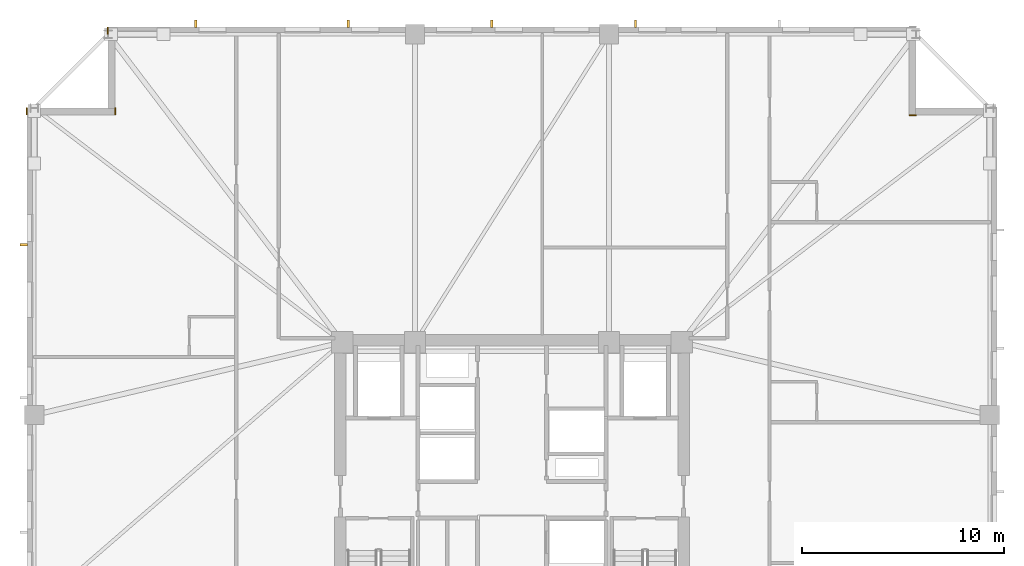
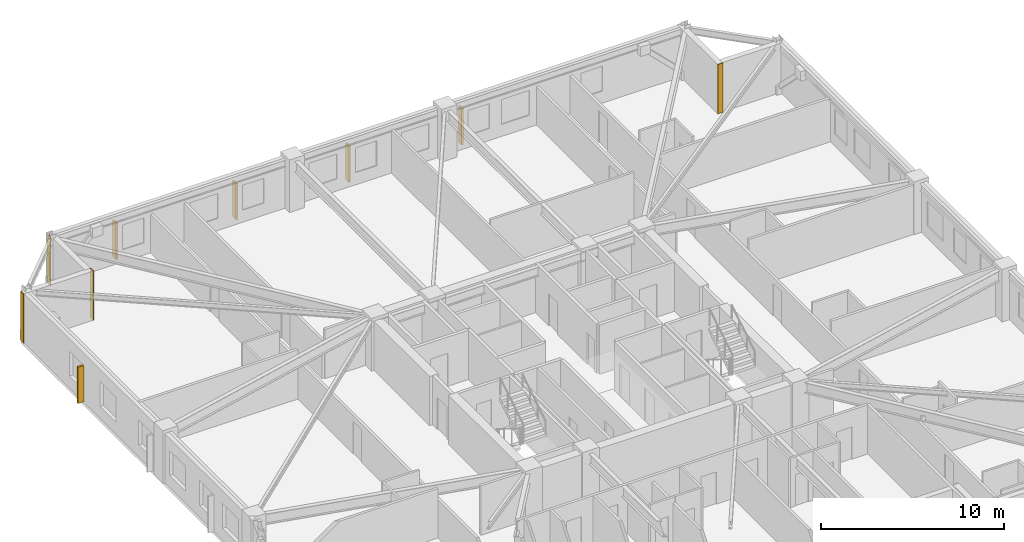
# One storey, part 10 of 11: 5 shading devices, 4 coverings.
"""IFC4 building model written with IfcOpenShell, lengths in metres."""

from ifc_helpers import new_model, si_unit, direction, frame, frame_2d, origin, origin_2d, place, context, subcontext, project, spatial, rectangle, extrude, material, layer, layer_set, type_object, element, save


model = new_model("IFC4")

# Units and contexts
model_context = context("Model", 3, precision=1e-05, world=origin(), true_north=direction((0.0, 1.0)))
body_context = subcontext(model_context, "Body", "Model", "MODEL_VIEW")
ifc_project = project(units=[si_unit("LENGTHUNIT", "METRE"), si_unit("AREAUNIT", "SQUARE_METRE"), si_unit("VOLUMEUNIT", "CUBIC_METRE"), si_unit("PLANEANGLEUNIT", "RADIAN"), si_unit("MASSUNIT", "GRAM", prefix="KILO")], contexts=[model_context])

# Site, building, storey
site_placement = place(None, origin())
site = spatial("IfcSite", under=ifc_project, at=site_placement, CompositionType="ELEMENT")
building_placement = place(site_placement, origin())
building = spatial("IfcBuilding", under=site, at=building_placement, Name="Cairnveth Concourse Tower", CompositionType="ELEMENT")
storey_placement = place(building_placement, frame((0.0, 0.0, 162.0)))
storey = spatial("IfcBuildingStorey", under=building, at=storey_placement, Name="L44", CompositionType="ELEMENT", Elevation=162.0)

# Coverings
ifc_material_1 = material(Name="Dressed Melbourne Bluestone Cladding", Category="masonry")
ifc_layer = layer(ifc_material_1, 0.050048828125)
ifc_layer_set = layer_set([ifc_layer], Name="Dressed Melbourne Bluestone Cladding")
covering_type = type_object("IfcCoveringType", Name="DRESSED BLUESTONE PLINTH CLADDING 50", PredefinedType="CLADDING", material=ifc_layer_set)
for number, where, z_axis, x_axis, name in (
    (1, (27.97998046875, 58.659912109375, 0.0), (0.0, 0.0, 1.0), (0.0, 1.0, 0.0), "Melbourne Bluestone Corner Quoin L44-647"),
    (2, (32.360107421875, 58.659912109375, 0.0), (0.0, 0.0, 1.0), (0.0, 1.0, 0.0), "Melbourne Bluestone Corner Quoin L44-648"),
    (3, (31.97998046875, 62.659912109375, 0.0), (0.0, 0.0, 1.0), (0.0, 1.0, 0.0), "Melbourne Bluestone Corner Quoin L44-649"),
    (4, (71.659912109375, 58.639892578125, 0.0), (0.0, 0.0, 1.0), (1.0, 0.0, 0.0), "Melbourne Bluestone Corner Quoin L44-651"),
):
    element("IfcCovering", number, at=place(storey_placement, frame(where, z_axis=z_axis, x_axis=x_axis)), inside=storey, type_object=covering_type, Name=name, PredefinedType="CLADDING", context=body_context, shape_type="SweptSolid", body=[
        extrude(rectangle(XDim=0.340087890625, YDim=0.050048828125, at=frame_2d((0.169921875, 0.0))), origin(), (0.0, 0.0, 1.0), 3.280029296875),
    ])

# Shading devices
ifc_material_2 = material(Name="Architectural Bronze Anodised Aluminium 6063-T6", Category="aluminium")
shading_device_type = type_object("IfcShadingDeviceType", Name="GOTHIC BRONZE VERTICAL LANCET FIN", PredefinedType="USERDEFINED", material=ifc_material_2)
for number, where, z_axis, x_axis, name in (
    (5, (27.824951171875, 52.22021484375, 0.030029296875), (0.0, 0.0, 1.0), (0.0, 1.0, 0.0), "Gothic Bronze Vertical Fin L44-3-9"),
    (6, (36.341796875, 63.175048828125, 0.030029296875), (0.0, 0.0, 1.0), (1.0, 0.0, 0.0), "Gothic Bronze Vertical Fin L44-6-1"),
    (7, (43.89892578125, 63.175048828125, 0.030029296875), (0.0, 0.0, 1.0), (1.0, 0.0, 0.0), "Gothic Bronze Vertical Fin L44-6-3"),
    (8, (51.006103515625, 63.175048828125, 0.030029296875), (0.0, 0.0, 1.0), (1.0, 0.0, 0.0), "Gothic Bronze Vertical Fin L44-6-5"),
    (9, (58.113037109375, 63.175048828125, 0.030029296875), (0.0, 0.0, 1.0), (1.0, 0.0, 0.0), "Gothic Bronze Vertical Fin L44-6-7"),
):
    element("IfcShadingDevice", number, at=place(storey_placement, frame(where, z_axis=z_axis, x_axis=x_axis)), inside=storey, type_object=shading_device_type, Name=name, ObjectType="VERTICAL FIN", PredefinedType="USERDEFINED", context=body_context, shape_type="SweptSolid", body=[
        extrude(rectangle(XDim=0.1201171875, YDim=0.360107421875, at=origin_2d()), origin(), (0.0, 0.0, 1.0), 2.419921875),
    ])

save(model, "model.ifc")
